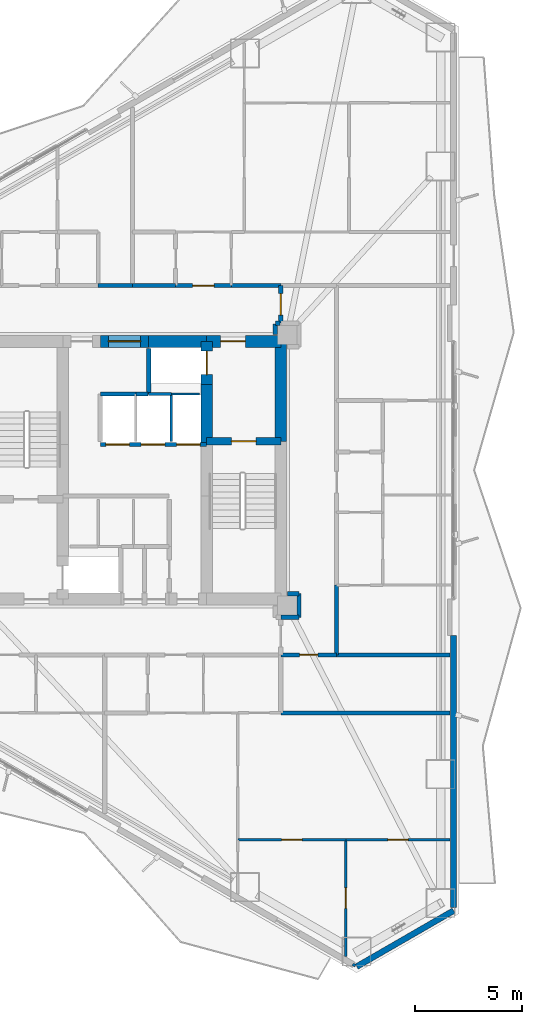
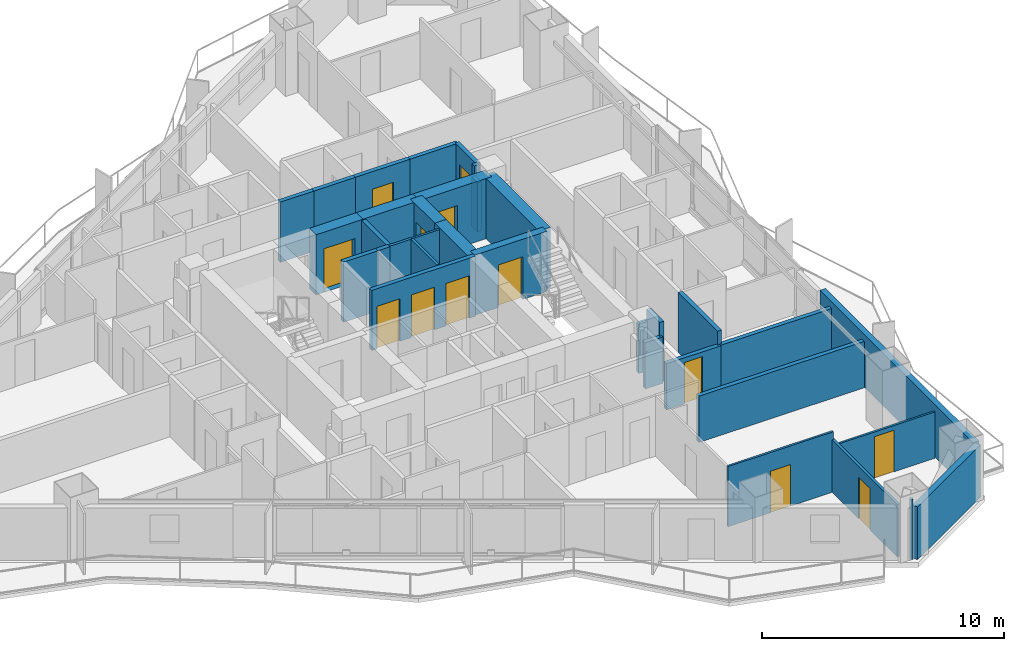
# One storey, part 14 of 18: 34 walls, 13 doors, 13 openings.
"""IFC4 building model written with IfcOpenShell, lengths in metres."""

from ifc_helpers import new_model, si_unit, direction, frame, frame_2d, origin, place, context, subcontext, project, spatial, rectangle, extrude, material, layer, layer_set, type_object, element, fill, save


model = new_model("IFC4")

# Units and contexts
model_context = context("Model", 3, precision=1e-05, world=origin(), true_north=direction((0.0, 1.0)))
body_context = subcontext(model_context, "Body", "Model", "MODEL_VIEW")
ifc_project = project(units=[si_unit("LENGTHUNIT", "METRE"), si_unit("AREAUNIT", "SQUARE_METRE"), si_unit("VOLUMEUNIT", "CUBIC_METRE"), si_unit("PLANEANGLEUNIT", "RADIAN"), si_unit("MASSUNIT", "GRAM", prefix="KILO")], contexts=[model_context])

# Site, building, storey
site_placement = place(None, origin())
site = spatial("IfcSite", under=ifc_project, at=site_placement, CompositionType="ELEMENT")
building_placement = place(site_placement, origin())
building = spatial("IfcBuilding", under=site, at=building_placement, Name="Mersakhor Tower and Convention Hall", CompositionType="ELEMENT")
storey_placement = place(building_placement, frame((0.0, 0.0, 39.0)))
storey = spatial("IfcBuildingStorey", under=building, at=storey_placement, Name="L10", CompositionType="ELEMENT", Elevation=39.0)

# Walls
ifc_material_1 = material(Name="Precast concrete C45/55", Category="concrete")
ifc_layer_1 = layer(ifc_material_1, 0.27490234375)
ifc_layer_set_1 = layer_set([ifc_layer_1], Name="Precast concrete C45/55")
wall_type_1 = type_object("IfcWallType", Name="WL-EXT-275", PredefinedType="SOLIDWALL", material=ifc_layer_set_1)
wall_1_placement = place(storey_placement, frame((43.85009765625, 6.240234375, 0.0), z_axis=(0.0, 0.0, 1.0), x_axis=(-0.866043601342, -0.499968479581, 0.0)))
element("IfcWall", 1, at=wall_1_placement, inside=storey, type_object=wall_type_1, Name="L10 Chamfer Braced Spandrel Wall C2", PredefinedType="SOLIDWALL", context=body_context, shape_type="SweptSolid", body=[
    extrude(rectangle(XDim=5.211181640625, YDim=0.27490234375, at=frame_2d((2.60546875, 0.0))), origin(), (0.0, 0.0, 1.0), 2.659912109375),
])
wall_2_placement = place(storey_placement, frame((43.85009765625, 19.0634765625, 0.0), z_axis=(0.0, 0.0, 1.0), x_axis=(0.0, -1.0, 0.0)))
element("IfcWall", 2, at=wall_2_placement, inside=storey, type_object=wall_type_1, Name="L10 Exterior Facade Wall F2-B3", PredefinedType="SOLIDWALL", context=body_context, shape_type="SweptSolid", body=[
    extrude(rectangle(XDim=12.673095703125, YDim=0.27490234375, at=frame_2d((6.33642578125, 0.0))), origin(), (0.0, 0.0, 1.0), 2.659912109375),
])
ifc_material_2 = material(Name="Lightweight gypsum partition", Category="other")
ifc_layer_2 = layer(ifc_material_2, 0.10009765625)
ifc_layer_set_2 = layer_set([ifc_layer_2], Name="Lightweight gypsum partition")
wall_type_2 = type_object("IfcWallType", Name="WL-PRT-100", PredefinedType="PARTITIONING", material=ifc_layer_set_2)
wall_3_placement = place(storey_placement, frame((32.02490234375, 30.300048828125, 0.0), z_axis=(0.0, 0.0, 1.0), x_axis=(-1.0, 0.0, 0.0)))
element("IfcWall", 3, at=wall_3_placement, inside=storey, type_object=wall_type_2, Name="L10 Interior Partition Wall P-004", PredefinedType="PARTITIONING", context=body_context, shape_type="SweptSolid", body=[
    extrude(rectangle(XDim=1.324951171875, YDim=0.10009765625, at=frame_2d((0.66259765625, 0.0))), origin(), (0.0, 0.0, 1.0), 3.0400390625),
])

# Wall, opening, door
wall_4_placement = place(storey_placement, frame((33.800048828125, 9.5400390625, 0.0), z_axis=(0.0, 0.0, 1.0), x_axis=(1.0, 0.0, 0.0)))
wall_4 = element("IfcWall", 4, at=wall_4_placement, inside=storey, type_object=wall_type_2, Name="L10 Interior Partition Wall P-136", PredefinedType="PARTITIONING", context=body_context, shape_type="SweptSolid", body=[
    extrude(rectangle(XDim=5.030029296875, YDim=0.10009765625, at=frame_2d((2.51513671875, 0.0))), origin(), (0.0, 0.0, 1.0), 3.0400390625),
])
opening_1_placement = place(wall_4_placement, frame((2.0400390625, 0.0, 0.0)))
opening_1 = element("IfcOpeningElement", 5, at=opening_1_placement, cuts=wall_4, Name="Opening RD-01", PredefinedType="OPENING", context=body_context, shape_type="SweptSolid", body=[
    extrude(rectangle(XDim=0.949951171875, YDim=2.10009765625, at=frame_2d((0.47509765625, 1.050048828125))), frame((0.0, 0.06005859375, 0.0), z_axis=(0.0, -1.0, 0.0), x_axis=(1.0, 0.0, 0.0)), (0.0, 0.0, 1.0), 0.1201171875),
])
ifc_material_3 = material(Name="Solid-core hardwood leaf in painted steel frame", Category="steel")
door_type_1 = type_object("IfcDoorType", Name="DR-INT-RM-095x210", OperationType="NOTDEFINED", PredefinedType="DOOR", material=ifc_material_3)
door_1_placement = place(opening_1_placement, origin())
door_1 = element("IfcDoor", 6, at=door_1_placement, inside=storey, type_object=door_type_1, Name="L10 L10 Flat S4 Bedroom 1 to L10 Flat S4 Dining Room Door", OperationType="SINGLE_SWING_RIGHT", OverallHeight=2.10009765625, OverallWidth=0.949951171875, PredefinedType="DOOR", context=body_context, shape_type="SweptSolid", body=[
    extrude(rectangle(XDim=0.949951171875, YDim=2.10009765625, at=frame_2d((0.47509765625, 1.050048828125))), frame((0.0, 0.02490234375, 0.0), z_axis=(0.0, -1.0, 0.0), x_axis=(1.0, 0.0, 0.0)), (0.0, 0.0, 1.0), 0.050048828125),
])
fill(opening_1, door_1)

wall_5_placement = place(storey_placement, frame((38.830078125, 9.5400390625, 0.0), z_axis=(0.0, 0.0, 1.0), x_axis=(1.0, 0.0, 0.0)))
wall_5 = element("IfcWall", 7, at=wall_5_placement, inside=storey, type_object=wall_type_2, Name="L10 Interior Partition Wall P-138", PredefinedType="PARTITIONING", context=body_context, shape_type="SweptSolid", body=[
    extrude(rectangle(XDim=4.8583984375, YDim=0.10009765625, at=frame_2d((2.42919921875, 0.0))), origin(), (0.0, 0.0, 1.0), 2.33740234375),
])
opening_2_placement = place(wall_5_placement, frame((1.9541015625, 0.0, 0.0)))
opening_2 = element("IfcOpeningElement", 8, at=opening_2_placement, cuts=wall_5, Name="Opening RD-01", PredefinedType="OPENING", context=body_context, shape_type="SweptSolid", body=[
    extrude(rectangle(XDim=0.949951171875, YDim=2.10009765625, at=frame_2d((0.47509765625, 1.050048828125))), frame((0.0, 0.06005859375, 0.0), z_axis=(0.0, -1.0, 0.0), x_axis=(1.0, 0.0, 0.0)), (0.0, 0.0, 1.0), 0.1201171875),
])
door_2_placement = place(opening_2_placement, origin())
door_2 = element("IfcDoor", 9, at=door_2_placement, inside=storey, type_object=door_type_1, Name="L10 L10 Flat S4 Study Room to L10 Flat S4 Dining Room Door", OperationType="SINGLE_SWING_LEFT", OverallHeight=2.10009765625, OverallWidth=0.949951171875, PredefinedType="DOOR", context=body_context, shape_type="SweptSolid", body=[
    extrude(rectangle(XDim=0.949951171875, YDim=2.10009765625, at=frame_2d((0.47509765625, 1.050048828125))), frame((0.0, 0.02490234375, 0.0), z_axis=(0.0, -1.0, 0.0), x_axis=(1.0, 0.0, 0.0)), (0.0, 0.0, 1.0), 0.050048828125),
])
fill(opening_2, door_2)

# Walls
ifc_material_4 = material(Name="Gypsum board acoustic partition", Category="other")
ifc_layer_3 = layer(ifc_material_4, 0.125)
ifc_layer_set_3 = layer_set([ifc_layer_3], Name="Gypsum board acoustic partition")
wall_type_3 = type_object("IfcWallType", Name="WL-PRT-125", PredefinedType="PARTITIONING", material=ifc_layer_set_3)
wall_6_placement = place(storey_placement, frame((30.699951171875, 30.300048828125, 0.0), z_axis=(0.0, 0.0, 1.0), x_axis=(-1.0, 0.0, 0.0)))
element("IfcWall", 10, at=wall_6_placement, inside=storey, type_object=wall_type_3, Name="L10 Interior Partition Wall P-005", PredefinedType="PARTITIONING", context=body_context, shape_type="SweptSolid", body=[
    extrude(rectangle(XDim=1.050048828125, YDim=0.125, at=frame_2d((0.52490234375, 0.0))), origin(), (0.0, 0.0, 1.0), 3.0400390625),
])
wall_7_placement = place(storey_placement, frame((30.699951171875, 30.300048828125, 0.0), z_axis=(0.0, 0.0, 1.0), x_axis=(0.0, -1.0, 0.0)))
element("IfcWall", 11, at=wall_7_placement, inside=storey, type_object=wall_type_3, Name="L10 Interior Partition Wall P-017", PredefinedType="PARTITIONING", context=body_context, shape_type="SweptSolid", body=[
    extrude(rectangle(XDim=2.199951171875, YDim=0.125, at=frame_2d((1.10009765625, 0.0))), origin(), (0.0, 0.0, 1.0), 3.0400390625),
])

# Wall, opening, door
wall_8_placement = place(storey_placement, frame((38.830078125, 9.5400390625, 0.0), z_axis=(0.0, 0.0, 1.0), x_axis=(0.0, -1.0, 0.0)))
wall_8 = element("IfcWall", 12, at=wall_8_placement, inside=storey, type_object=wall_type_3, Name="L10 Interior Partition Wall P-137", PredefinedType="PARTITIONING", context=body_context, shape_type="SweptSolid", body=[
    extrude(rectangle(XDim=5.42626953125, YDim=0.125, at=frame_2d((2.713134765625, 0.0))), origin(), (0.0, 0.0, 1.0), 2.650390625),
])
opening_3_placement = place(wall_8_placement, frame((2.238037109375, 0.0, 0.0)))
opening_3 = element("IfcOpeningElement", 13, at=opening_3_placement, cuts=wall_8, Name="Opening RD-01", PredefinedType="OPENING", context=body_context, shape_type="SweptSolid", body=[
    extrude(rectangle(XDim=0.949951171875, YDim=2.10009765625, at=frame_2d((0.47509765625, 1.050048828125))), frame((0.0, 0.072509765625, 0.0), z_axis=(0.0, -1.0, 0.0), x_axis=(1.0, 0.0, 0.0)), (0.0, 0.0, 1.0), 0.14501953125),
])
door_3_placement = place(opening_3_placement, origin())
door_3 = element("IfcDoor", 14, at=door_3_placement, inside=storey, type_object=door_type_1, Name="L10 L10 Flat S4 Bedroom 1 to L10 Flat S4 Study Room Door", OperationType="SINGLE_SWING_LEFT", OverallHeight=2.10009765625, OverallWidth=0.949951171875, PredefinedType="DOOR", context=body_context, shape_type="SweptSolid", body=[
    extrude(rectangle(XDim=0.949951171875, YDim=2.10009765625, at=frame_2d((0.47509765625, 1.050048828125))), frame((0.0, 0.02490234375, 0.0), z_axis=(0.0, -1.0, 0.0), x_axis=(1.0, 0.0, 0.0)), (0.0, 0.0, 1.0), 0.050048828125),
])
fill(opening_3, door_3)

# Wall
wall_9_placement = place(storey_placement, frame((39.2724609375, 3.672119140625, 0.0), z_axis=(0.0, 0.0, 1.0), x_axis=(-0.866442544969, 0.49927679324, 0.0)))
element("IfcWall", 15, at=wall_9_placement, inside=storey, type_object=wall_type_3, Name="L10 Interior Partition Wall P-139", PredefinedType="PARTITIONING", context=body_context, shape_type="SweptSolid", body=[
    extrude(rectangle(XDim=0.142333984375, YDim=0.125, at=frame_2d((0.0712890625, 0.0))), origin(), (0.0, 0.0, 1.0), 3.0400390625),
])

# Wall, openings, doors
ifc_material_5 = material(Name="Acoustic concrete blockwork and gypsum board", Category="masonry")
ifc_layer_4 = layer(ifc_material_5, 0.199951171875)
ifc_layer_set_4 = layer_set([ifc_layer_4], Name="Acoustic concrete blockwork and gypsum board")
wall_type_4 = type_object("IfcWallType", Name="WL-PRT-200", PredefinedType="PARTITIONING", material=ifc_layer_set_4)
wall_10_placement = place(storey_placement, frame((27.39990234375, 27.949951171875, 0.0), z_axis=(0.0, 0.0, 1.0), x_axis=(1.0, 0.0, 0.0)))
wall_10 = element("IfcWall", 16, at=wall_10_placement, inside=storey, type_object=wall_type_4, Name="L10 Low-Rise Lift Bank Front Wall", PredefinedType="PARTITIONING", context=body_context, shape_type="SweptSolid", body=[
    extrude(rectangle(XDim=4.9501953125, YDim=0.199951171875, at=frame_2d((2.47509765625, 0.0))), origin(), (0.0, 0.0, 1.0), 3.0400390625),
])
opening_4_placement = place(wall_10_placement, frame((0.25, 0.0, 0.0)))
opening_4 = element("IfcOpeningElement", 17, at=opening_4_placement, cuts=wall_10, Name="Opening LD-P1", PredefinedType="OPENING", context=body_context, shape_type="SweptSolid", body=[
    extrude(rectangle(XDim=1.10009765625, YDim=2.14990234375, at=frame_2d((0.550048828125, 1.074951171875))), frame((0.0, 0.10986328125, 0.0), z_axis=(0.0, -1.0, 0.0), x_axis=(1.0, 0.0, 0.0)), (0.0, 0.0, 1.0), 0.219970703125),
])
opening_5_placement = place(wall_10_placement, frame((1.89990234375, 0.0, 0.0)))
opening_5 = element("IfcOpeningElement", 18, at=opening_5_placement, cuts=wall_10, Name="Opening LD-P2", PredefinedType="OPENING", context=body_context, shape_type="SweptSolid", body=[
    extrude(rectangle(XDim=1.10009765625, YDim=2.14990234375, at=frame_2d((0.550048828125, 1.074951171875))), frame((0.0, 0.10986328125, 0.0), z_axis=(0.0, -1.0, 0.0), x_axis=(1.0, 0.0, 0.0)), (0.0, 0.0, 1.0), 0.219970703125),
])
opening_6_placement = place(wall_10_placement, frame((3.550048828125, 0.0, 0.0)))
opening_6 = element("IfcOpeningElement", 19, at=opening_6_placement, cuts=wall_10, Name="Opening LD-P3", PredefinedType="OPENING", context=body_context, shape_type="SweptSolid", body=[
    extrude(rectangle(XDim=1.10009765625, YDim=2.14990234375, at=frame_2d((0.550048828125, 1.074951171875))), frame((0.0, 0.10986328125, 0.0), z_axis=(0.0, -1.0, 0.0), x_axis=(1.0, 0.0, 0.0)), (0.0, 0.0, 1.0), 0.219970703125),
])
ifc_material_6 = material(Name="Fire-rated brushed stainless steel sliding landing door", Category="steel")
door_type_2 = type_object("IfcDoorType", Name="DR-LIFT-SLD-110x215", OperationType="NOTDEFINED", PredefinedType="DOOR", material=ifc_material_6)
door_4_placement = place(opening_4_placement, origin())
door_4 = element("IfcDoor", 20, at=door_4_placement, inside=storey, type_object=door_type_2, Name="L10 Lift Landing Door LD-P1", OperationType="SLIDING_TO_LEFT", OverallHeight=2.14990234375, OverallWidth=1.10009765625, PredefinedType="DOOR", context=body_context, shape_type="SweptSolid", body=[
    extrude(rectangle(XDim=1.10009765625, YDim=2.14990234375, at=frame_2d((0.550048828125, 1.074951171875))), frame((0.0, 0.02490234375, 0.0), z_axis=(0.0, -1.0, 0.0), x_axis=(1.0, 0.0, 0.0)), (0.0, 0.0, 1.0), 0.050048828125),
])
fill(opening_4, door_4)
door_5_placement = place(opening_5_placement, origin())
door_5 = element("IfcDoor", 21, at=door_5_placement, inside=storey, type_object=door_type_2, Name="L10 Lift Landing Door LD-P2", OperationType="SLIDING_TO_LEFT", OverallHeight=2.14990234375, OverallWidth=1.10009765625, PredefinedType="DOOR", context=body_context, shape_type="SweptSolid", body=[
    extrude(rectangle(XDim=1.10009765625, YDim=2.14990234375, at=frame_2d((0.550048828125, 1.074951171875))), frame((0.0, 0.02490234375, 0.0), z_axis=(0.0, -1.0, 0.0), x_axis=(1.0, 0.0, 0.0)), (0.0, 0.0, 1.0), 0.050048828125),
])
fill(opening_5, door_5)
door_6_placement = place(opening_6_placement, origin())
door_6 = element("IfcDoor", 22, at=door_6_placement, inside=storey, type_object=door_type_2, Name="L10 Lift Landing Door LD-P3", OperationType="SLIDING_TO_LEFT", OverallHeight=2.14990234375, OverallWidth=1.10009765625, PredefinedType="DOOR", context=body_context, shape_type="SweptSolid", body=[
    extrude(rectangle(XDim=1.10009765625, YDim=2.14990234375, at=frame_2d((0.550048828125, 1.074951171875))), frame((0.0, 0.02490234375, 0.0), z_axis=(0.0, -1.0, 0.0), x_axis=(1.0, 0.0, 0.0)), (0.0, 0.0, 1.0), 0.050048828125),
])
fill(opening_6, door_6)

# Walls
wall_11_placement = place(storey_placement, frame((29.64990234375, 30.300048828125, 0.0), z_axis=(0.0, 0.0, 1.0), x_axis=(0.0, 1.0, 0.0)))
element("IfcWall", 23, at=wall_11_placement, inside=storey, type_object=wall_type_4, Name="L10 Interior Partition Wall P-006", PredefinedType="PARTITIONING", context=body_context, shape_type="SweptSolid", body=[
    extrude(rectangle(XDim=2.125, YDim=0.199951171875, at=frame_2d((1.0625, 0.0))), origin(), (0.0, 0.0, 1.0), 3.0400390625),
])
wall_12_placement = place(storey_placement, frame((27.39990234375, 30.300048828125, 0.0), z_axis=(0.0, 0.0, 1.0), x_axis=(1.0, 0.0, 0.0)))
element("IfcWall", 24, at=wall_12_placement, inside=storey, type_object=wall_type_4, Name="L10 Interior Partition Wall P-013", PredefinedType="PARTITIONING", context=body_context, shape_type="SweptSolid", body=[
    extrude(rectangle(XDim=1.650146484375, YDim=0.199951171875, at=frame_2d((0.8251953125, 0.0))), origin(), (0.0, 0.0, 1.0), 3.0400390625),
])
wall_13_placement = place(storey_placement, frame((29.050048828125, 30.300048828125, 0.0), z_axis=(0.0, 0.0, 1.0), x_axis=(1.0, 0.0, 0.0)))
element("IfcWall", 25, at=wall_13_placement, inside=storey, type_object=wall_type_4, Name="L10 Interior Partition Wall P-016", PredefinedType="PARTITIONING", context=body_context, shape_type="SweptSolid", body=[
    extrude(rectangle(XDim=0.570068359375, YDim=0.199951171875, at=frame_2d((0.28515625, 0.0))), origin(), (0.0, 0.0, 1.0), 3.0400390625),
])
wall_14_placement = place(storey_placement, frame((27.300048828125, 35.35009765625, 0.0), z_axis=(0.0, 0.0, 1.0), x_axis=(1.0, 0.0, 0.0)))
element("IfcWall", 26, at=wall_14_placement, inside=storey, type_object=wall_type_4, Name="L10 Interior Partition Wall P-041", PredefinedType="PARTITIONING", context=body_context, shape_type="SweptSolid", body=[
    extrude(rectangle(XDim=1.599853515625, YDim=0.199951171875, at=frame_2d((0.7998046875, 0.0))), origin(), (0.0, 0.0, 1.0), 3.0400390625),
])
wall_15_placement = place(storey_placement, frame((28.89990234375, 35.35009765625, 0.0), z_axis=(0.0, 0.0, 1.0), x_axis=(1.0, 0.0, 0.0)))
element("IfcWall", 27, at=wall_15_placement, inside=storey, type_object=wall_type_4, Name="L10 Interior Partition Wall P-042", PredefinedType="PARTITIONING", context=body_context, shape_type="SweptSolid", body=[
    extrude(rectangle(XDim=2.0, YDim=0.199951171875, at=frame_2d((1.0, 0.0))), origin(), (0.0, 0.0, 1.0), 3.0400390625),
])

# Wall, opening, door
wall_16_placement = place(storey_placement, frame((30.89990234375, 35.35009765625, 0.0), z_axis=(0.0, 0.0, 1.0), x_axis=(1.0, 0.0, 0.0)))
wall_16 = element("IfcWall", 28, at=wall_16_placement, inside=storey, type_object=wall_type_4, Name="L10 Interior Partition Wall P-043", PredefinedType="PARTITIONING", context=body_context, shape_type="SweptSolid", body=[
    extrude(rectangle(XDim=2.60009765625, YDim=0.199951171875, at=frame_2d((1.300048828125, 0.0))), origin(), (0.0, 0.0, 1.0), 3.0400390625),
])
opening_7_placement = place(wall_16_placement, frame((0.800048828125, 0.0, 0.0)))
opening_7 = element("IfcOpeningElement", 29, at=opening_7_placement, cuts=wall_16, Name="Opening FD-01", PredefinedType="OPENING", context=body_context, shape_type="SweptSolid", body=[
    extrude(rectangle(XDim=1.0, YDim=2.14990234375, at=frame_2d((0.5, 1.074951171875))), frame((0.0, 0.10986328125, 0.0), z_axis=(0.0, -1.0, 0.0), x_axis=(1.0, 0.0, 0.0)), (0.0, 0.0, 1.0), 0.219970703125),
])
ifc_material_7 = material(Name="Fire-rated hardwood leaf and painted steel frame", Category="steel")
door_type_3 = type_object("IfcDoorType", Name="DR-INT-FLT-100x215", OperationType="NOTDEFINED", PredefinedType="DOOR", material=ifc_material_7)
door_7_placement = place(opening_7_placement, origin())
door_7 = element("IfcDoor", 30, at=door_7_placement, inside=storey, type_object=door_type_3, Name="L10 Apartment Entrance Door (Residential Ring Corridor to L10 Flat N2 Apartment Hall)", OperationType="SINGLE_SWING_LEFT", OverallHeight=2.14990234375, OverallWidth=1.0, PredefinedType="DOOR", context=body_context, shape_type="SweptSolid", body=[
    extrude(rectangle(XDim=1.0, YDim=2.14990234375, at=frame_2d((0.5, 1.074951171875))), frame((0.0, 0.02490234375, 0.0), z_axis=(0.0, -1.0, 0.0), x_axis=(1.0, 0.0, 0.0)), (0.0, 0.0, 1.0), 0.050048828125),
])
fill(opening_7, door_7)

# Wall
wall_17_placement = place(storey_placement, frame((33.5, 35.35009765625, 0.0), z_axis=(0.0, 0.0, 1.0), x_axis=(1.0, 0.0, 0.0)))
element("IfcWall", 31, at=wall_17_placement, inside=storey, type_object=wall_type_4, Name="L10 Interior Partition Wall P-044", PredefinedType="PARTITIONING", context=body_context, shape_type="SweptSolid", body=[
    extrude(rectangle(XDim=2.300048828125, YDim=0.199951171875, at=frame_2d((1.14990234375, 0.0))), origin(), (0.0, 0.0, 1.0), 3.0400390625),
])

# Wall, opening, door
wall_18_placement = place(storey_placement, frame((35.800048828125, 35.35009765625, 0.0), z_axis=(0.0, 0.0, 1.0), x_axis=(0.0, -1.0, 0.0)))
wall_18 = element("IfcWall", 32, at=wall_18_placement, inside=storey, type_object=wall_type_4, Name="L10 Interior Partition Wall P-045", PredefinedType="PARTITIONING", context=body_context, shape_type="SweptSolid", body=[
    extrude(rectangle(XDim=1.75, YDim=0.199951171875, at=frame_2d((0.875, 0.0))), origin(), (0.0, 0.0, 1.0), 3.0400390625),
])
opening_8_placement = place(wall_18_placement, frame((0.375, 0.0, 0.0)))
opening_8 = element("IfcOpeningElement", 33, at=opening_8_placement, cuts=wall_18, Name="Opening FD-01", PredefinedType="OPENING", context=body_context, shape_type="SweptSolid", body=[
    extrude(rectangle(XDim=1.0, YDim=2.14990234375, at=frame_2d((0.5, 1.074951171875))), frame((0.0, 0.10986328125, 0.0), z_axis=(0.0, -1.0, 0.0), x_axis=(1.0, 0.0, 0.0)), (0.0, 0.0, 1.0), 0.219970703125),
])
door_8_placement = place(opening_8_placement, origin())
door_8 = element("IfcDoor", 34, at=door_8_placement, inside=storey, type_object=door_type_3, Name="L10 Ring Corridor Fire Door", OperationType="SINGLE_SWING_LEFT", OverallHeight=2.14990234375, OverallWidth=1.0, PredefinedType="DOOR", context=body_context, shape_type="SweptSolid", body=[
    extrude(rectangle(XDim=1.0, YDim=2.14990234375, at=frame_2d((0.5, 1.074951171875))), frame((0.0, 0.02490234375, 0.0), z_axis=(0.0, -1.0, 0.0), x_axis=(1.0, 0.0, 0.0)), (0.0, 0.0, 1.0), 0.050048828125),
])
fill(opening_8, door_8)

# Walls
wall_19_placement = place(storey_placement, frame((35.77001953125, 33.60009765625, 0.0), z_axis=(0.0, 0.0, 1.0), x_axis=(-1.0, 0.0, 0.0)))
element("IfcWall", 35, at=wall_19_placement, inside=storey, type_object=wall_type_4, Name="L10 Interior Partition Wall P-046", PredefinedType="PARTITIONING", context=body_context, shape_type="SweptSolid", body=[
    extrude(rectangle(XDim=0.219970703125, YDim=0.199951171875, at=frame_2d((0.10986328125, 0.0))), origin(), (0.0, 0.0, 1.0), 3.0400390625),
])
wall_20_placement = place(storey_placement, frame((35.550048828125, 33.570068359375, 0.0), z_axis=(0.0, 0.0, 1.0), x_axis=(0.0, -1.0, 0.0)))
element("IfcWall", 36, at=wall_20_placement, inside=storey, type_object=wall_type_4, Name="L10 Interior Partition Wall P-047", PredefinedType="PARTITIONING", context=body_context, shape_type="SweptSolid", body=[
    extrude(rectangle(XDim=0.4951171875, YDim=0.199951171875, at=frame_2d((0.24755859375, 0.0))), origin(), (0.0, 0.0, 1.0), 2.48828125),
])
wall_21_placement = place(storey_placement, frame((36.64990234375, 21.0, 0.0), z_axis=(0.0, 0.0, 1.0), x_axis=(-1.0, 0.0, 0.0)))
element("IfcWall", 37, at=wall_21_placement, inside=storey, type_object=wall_type_4, Name="L10 Interior Partition Wall P-054", PredefinedType="PARTITIONING", context=body_context, shape_type="SweptSolid", body=[
    extrude(rectangle(XDim=0.52490234375, YDim=0.199951171875, at=frame_2d((0.262451171875, 0.0))), origin(), (0.0, 0.0, 1.0), 2.48828125),
])
wall_22_placement = place(storey_placement, frame((38.39990234375, 21.39990234375, 0.0), z_axis=(0.0, 0.0, 1.0), x_axis=(0.0, -1.0, 0.0)))
element("IfcWall", 38, at=wall_22_placement, inside=storey, type_object=wall_type_4, Name="L10 Interior Partition Wall P-063", PredefinedType="PARTITIONING", context=body_context, shape_type="SweptSolid", body=[
    extrude(rectangle(XDim=3.25, YDim=0.199951171875, at=frame_2d((1.625, 0.0))), origin(), (0.0, 0.0, 1.0), 3.0400390625),
])

# Wall, opening, door
wall_23_placement = place(storey_placement, frame((38.39990234375, 18.14990234375, 0.0), z_axis=(0.0, 0.0, 1.0), x_axis=(-1.0, 0.0, 0.0)))
wall_23 = element("IfcWall", 39, at=wall_23_placement, inside=storey, type_object=wall_type_4, Name="L10 Interior Partition Wall P-064", PredefinedType="PARTITIONING", context=body_context, shape_type="SweptSolid", body=[
    extrude(rectangle(XDim=2.599853515625, YDim=0.199951171875, at=frame_2d((1.2998046875, 0.0))), origin(), (0.0, 0.0, 1.0), 2.33740234375),
])
opening_9_placement = place(wall_23_placement, frame((0.875, 0.0, 0.0)))
opening_9 = element("IfcOpeningElement", 40, at=opening_9_placement, cuts=wall_23, Name="Opening SVD-01", PredefinedType="OPENING", context=body_context, shape_type="SweptSolid", body=[
    extrude(rectangle(XDim=0.85009765625, YDim=2.10009765625, at=frame_2d((0.425048828125, 1.050048828125))), frame((0.0, 0.10986328125, 0.0), z_axis=(0.0, -1.0, 0.0), x_axis=(1.0, 0.0, 0.0)), (0.0, 0.0, 1.0), 0.219970703125),
])
ifc_material_8 = material(Name="Fire-rated hardwood leaf and painted steel frame", Category="steel")
door_type_4 = type_object("IfcDoorType", Name="DR-INT-SVC-085x210", OperationType="NOTDEFINED", PredefinedType="DOOR", material=ifc_material_8)
door_9_placement = place(opening_9_placement, origin())
door_9 = element("IfcDoor", 41, at=door_9_placement, inside=storey, type_object=door_type_4, Name="L10 Residential Ring East Corridor to L10 South Wing Household Store Room Door", OperationType="SINGLE_SWING_LEFT", OverallHeight=2.10009765625, OverallWidth=0.85009765625, PredefinedType="DOOR", context=body_context, shape_type="SweptSolid", body=[
    extrude(rectangle(XDim=0.85009765625, YDim=2.10009765625, at=frame_2d((0.425048828125, 1.050048828125))), frame((0.0, 0.02490234375, 0.0), z_axis=(0.0, -1.0, 0.0), x_axis=(1.0, 0.0, 0.0)), (0.0, 0.0, 1.0), 0.050048828125),
])
fill(opening_9, door_9)

# Walls
wall_24_placement = place(storey_placement, frame((35.800048828125, 19.89990234375, 0.0), z_axis=(0.0, 0.0, 1.0), x_axis=(1.0, 0.0, 0.0)))
element("IfcWall", 42, at=wall_24_placement, inside=storey, type_object=wall_type_4, Name="L10 Interior Partition Wall P-065", PredefinedType="PARTITIONING", context=body_context, shape_type="SweptSolid", body=[
    extrude(rectangle(XDim=0.849853515625, YDim=0.199951171875, at=frame_2d((0.4248046875, 0.0))), origin(), (0.0, 0.0, 1.0), 2.33740234375),
])
wall_25_placement = place(storey_placement, frame((36.64990234375, 19.89990234375, 0.0), z_axis=(0.0, 0.0, 1.0), x_axis=(0.0, 1.0, 0.0)))
element("IfcWall", 43, at=wall_25_placement, inside=storey, type_object=wall_type_4, Name="L10 Interior Partition Wall P-066", PredefinedType="PARTITIONING", context=body_context, shape_type="SweptSolid", body=[
    extrude(rectangle(XDim=1.10009765625, YDim=0.199951171875, at=frame_2d((0.550048828125, 0.0))), origin(), (0.0, 0.0, 1.0), 3.0400390625),
])
wall_26_placement = place(storey_placement, frame((43.6884765625, 18.14990234375, 0.0), z_axis=(0.0, 0.0, 1.0), x_axis=(-1.0, 0.0, 0.0)))
element("IfcWall", 44, at=wall_26_placement, inside=storey, type_object=wall_type_4, Name="L10 Interior Partition Wall P-121", PredefinedType="PARTITIONING", context=body_context, shape_type="SweptSolid", body=[
    extrude(rectangle(XDim=5.28857421875, YDim=0.199951171875, at=frame_2d((2.644287109375, 0.0))), origin(), (0.0, 0.0, 1.0), 2.364990234375),
])
wall_27_placement = place(storey_placement, frame((43.6884765625, 15.449951171875, 0.0), z_axis=(0.0, 0.0, 1.0), x_axis=(-1.0, 0.0, 0.0)))
element("IfcWall", 45, at=wall_27_placement, inside=storey, type_object=wall_type_4, Name="L10 Interior Partition Wall P-123", PredefinedType="PARTITIONING", context=body_context, shape_type="SweptSolid", body=[
    extrude(rectangle(XDim=7.888427734375, YDim=0.199951171875, at=frame_2d((3.9443359375, 0.0))), origin(), (0.0, 0.0, 1.0), 2.33740234375),
])

# Wall, opening, door
ifc_material_9 = material(Name="Concrete C50/60", Category="concrete")
ifc_layer_5 = layer(ifc_material_9, 0.35009765625)
ifc_layer_set_5 = layer_set([ifc_layer_5], Name="Concrete C50/60")
wall_type_5 = type_object("IfcWallType", Name="WL-SHR-350", PredefinedType="SHEAR", material=ifc_layer_set_5)
wall_28_placement = place(storey_placement, frame((32.35009765625, 28.10009765625, 0.0), z_axis=(0.0, 0.0, 1.0), x_axis=(1.0, 0.0, 0.0)))
wall_28 = element("IfcWall", 46, at=wall_28_placement, inside=storey, type_object=wall_type_5, Name="L10 Core Wall CS-ST2-N", PredefinedType="SHEAR", context=body_context, shape_type="SweptSolid", body=[
    extrude(rectangle(XDim=3.449951171875, YDim=0.35009765625, at=frame_2d((1.72509765625, 0.0))), origin(), (0.0, 0.0, 1.0), 3.0400390625),
])
opening_10_placement = place(wall_28_placement, frame((1.14990234375, 0.0, 0.0)))
opening_10 = element("IfcOpeningElement", 47, at=opening_10_placement, cuts=wall_28, Name="Opening SD-01", PredefinedType="OPENING", context=body_context, shape_type="SweptSolid", body=[
    extrude(rectangle(XDim=1.14990234375, YDim=2.14990234375, at=frame_2d((0.574951171875, 1.074951171875))), frame((0.0, 0.18505859375, 0.0), z_axis=(0.0, -1.0, 0.0), x_axis=(1.0, 0.0, 0.0)), (0.0, 0.0, 1.0), 0.3701171875),
])
ifc_material_10 = material(Name="Fire-rated hardwood leaf and painted steel frame", Category="steel")
door_type_5 = type_object("IfcDoorType", Name="DR-INT-STAIR-115x215", OperationType="NOTDEFINED", PredefinedType="DOOR", material=ifc_material_10)
door_10_placement = place(opening_10_placement, origin())
door_10 = element("IfcDoor", 48, at=door_10_placement, inside=storey, type_object=door_type_5, Name="L10 Exit Stair ST-2 Enclosure Door", OperationType="SINGLE_SWING_RIGHT", OverallHeight=2.14990234375, OverallWidth=1.14990234375, PredefinedType="DOOR", context=body_context, shape_type="SweptSolid", body=[
    extrude(rectangle(XDim=1.14990234375, YDim=2.14990234375, at=frame_2d((0.574951171875, 1.074951171875))), frame((0.0, 0.02490234375, 0.0), z_axis=(0.0, -1.0, 0.0), x_axis=(1.0, 0.0, 0.0)), (0.0, 0.0, 1.0), 0.050048828125),
])
fill(opening_10, door_10)

ifc_material_11 = material(Name="Concrete C70/85", Category="concrete")
ifc_layer_6 = layer(ifc_material_11, 0.550048828125)
ifc_layer_set_6 = layer_set([ifc_layer_6], Name="Concrete C70/85")
wall_type_6 = type_object("IfcWallType", Name="WL-SHR-550", PredefinedType="SHEAR", material=ifc_layer_set_6)
wall_29_placement = place(storey_placement, frame((27.39990234375, 32.75, 0.0), z_axis=(0.0, 0.0, 1.0), x_axis=(1.0, 0.0, 0.0)))
wall_29 = element("IfcWall", 49, at=wall_29_placement, inside=storey, type_object=wall_type_6, Name="L10 Core Wall CW-N2B", PredefinedType="SHEAR", context=body_context, shape_type="SweptSolid", body=[
    extrude(rectangle(XDim=2.25, YDim=0.550048828125, at=frame_2d((1.125, 0.0))), origin(), (0.0, 0.0, 1.0), 3.0400390625),
])
opening_11_placement = place(wall_29_placement, frame((0.375, 0.0, 0.0)))
opening_11 = element("IfcOpeningElement", 50, at=opening_11_placement, cuts=wall_29, Name="Opening LD-LOB", PredefinedType="OPENING", context=body_context, shape_type="SweptSolid", body=[
    extrude(rectangle(XDim=1.5, YDim=2.199951171875, at=frame_2d((0.75, 1.10009765625))), frame((0.0, 0.284912109375, 0.0), z_axis=(0.0, -1.0, 0.0), x_axis=(1.0, 0.0, 0.0)), (0.0, 0.0, 1.0), 0.570068359375),
])
ifc_material_12 = material(Name="Fire-rated hardwood leaf and painted steel frame", Category="steel")
door_type_6 = type_object("IfcDoorType", Name="DR-INT-LOB-150x220", OperationType="NOTDEFINED", PredefinedType="DOOR", material=ifc_material_12)
door_11_placement = place(opening_11_placement, origin())
door_11 = element("IfcDoor", 51, at=door_11_placement, inside=storey, type_object=door_type_6, Name="L10 Central Passenger Lift Lobby to Residential Ring Corridor Door", OperationType="DOUBLE_DOOR_SINGLE_SWING", OverallHeight=2.199951171875, OverallWidth=1.5, PredefinedType="DOOR", context=body_context, shape_type="SweptSolid", body=[
    extrude(rectangle(XDim=1.5, YDim=2.199951171875, at=frame_2d((0.75, 1.10009765625))), frame((0.0, 0.02490234375, 0.0), z_axis=(0.0, -1.0, 0.0), x_axis=(1.0, 0.0, 0.0)), (0.0, 0.0, 1.0), 0.050048828125),
])
fill(opening_11, door_11)

# Wall
wall_30_placement = place(storey_placement, frame((29.64990234375, 32.75, 0.0), z_axis=(0.0, 0.0, 1.0), x_axis=(1.0, 0.0, 0.0)))
element("IfcWall", 52, at=wall_30_placement, inside=storey, type_object=wall_type_6, Name="L10 Core Wall CW-N3", PredefinedType="SHEAR", context=body_context, shape_type="SweptSolid", body=[
    extrude(rectangle(XDim=2.7001953125, YDim=0.550048828125, at=frame_2d((1.35009765625, 0.0))), origin(), (0.0, 0.0, 1.0), 3.0400390625),
])

# Wall, opening, door
wall_31_placement = place(storey_placement, frame((32.35009765625, 32.75, 0.0), z_axis=(0.0, 0.0, 1.0), x_axis=(1.0, 0.0, 0.0)))
wall_31 = element("IfcWall", 53, at=wall_31_placement, inside=storey, type_object=wall_type_6, Name="L10 Core Wall CW-N4", PredefinedType="SHEAR", context=body_context, shape_type="SweptSolid", body=[
    extrude(rectangle(XDim=3.449951171875, YDim=0.550048828125, at=frame_2d((1.72509765625, 0.0))), origin(), (0.0, 0.0, 1.0), 3.0400390625),
])
opening_12_placement = place(wall_31_placement, frame((0.64990234375, 0.0, 0.0)))
opening_12 = element("IfcOpeningElement", 54, at=opening_12_placement, cuts=wall_31, Name="Opening SD-01", PredefinedType="OPENING", context=body_context, shape_type="SweptSolid", body=[
    extrude(rectangle(XDim=1.14990234375, YDim=2.14990234375, at=frame_2d((0.574951171875, 1.074951171875))), frame((0.0, 0.284912109375, 0.0), z_axis=(0.0, -1.0, 0.0), x_axis=(1.0, 0.0, 0.0)), (0.0, 0.0, 1.0), 0.570068359375),
])
door_12_placement = place(opening_12_placement, origin())
door_12 = element("IfcDoor", 55, at=door_12_placement, inside=storey, type_object=door_type_5, Name="L10 Firefighting Lobby East Fire Door", OperationType="SINGLE_SWING_RIGHT", OverallHeight=2.14990234375, OverallWidth=1.14990234375, PredefinedType="DOOR", context=body_context, shape_type="SweptSolid", body=[
    extrude(rectangle(XDim=1.14990234375, YDim=2.14990234375, at=frame_2d((0.574951171875, 1.074951171875))), frame((0.0, 0.02490234375, 0.0), z_axis=(0.0, -1.0, 0.0), x_axis=(1.0, 0.0, 0.0)), (0.0, 0.0, 1.0), 0.050048828125),
])
fill(opening_12, door_12)

# Walls
wall_32_placement = place(storey_placement, frame((35.800048828125, 32.75, 0.0), z_axis=(0.0, 0.0, 1.0), x_axis=(0.0, -1.0, 0.0)))
element("IfcWall", 56, at=wall_32_placement, inside=storey, type_object=wall_type_6, Name="L10 Core Wall CW-E1", PredefinedType="SHEAR", context=body_context, shape_type="SweptSolid", body=[
    extrude(rectangle(XDim=4.64990234375, YDim=0.550048828125, at=frame_2d((2.324951171875, 0.0))), origin(), (0.0, 0.0, 1.0), 3.0400390625),
])
wall_33_placement = place(storey_placement, frame((32.35009765625, 27.949951171875, 0.0), z_axis=(0.0, 0.0, 1.0), x_axis=(0.0, 1.0, 0.0)))
element("IfcWall", 57, at=wall_33_placement, inside=storey, type_object=wall_type_6, Name="L10 Core Wall CS-E-MID", PredefinedType="SHEAR", context=body_context, shape_type="SweptSolid", body=[
    extrude(rectangle(XDim=2.800048828125, YDim=0.550048828125, at=frame_2d((1.39990234375, 0.0))), origin(), (0.0, 0.0, 1.0), 3.0400390625),
])

# Wall, opening, door
wall_34_placement = place(storey_placement, frame((32.35009765625, 30.75, 0.0), z_axis=(0.0, 0.0, 1.0), x_axis=(0.0, 1.0, 0.0)))
wall_34 = element("IfcWall", 58, at=wall_34_placement, inside=storey, type_object=wall_type_6, Name="L10 Core Wall CS-E-FFL", PredefinedType="SHEAR", context=body_context, shape_type="SweptSolid", body=[
    extrude(rectangle(XDim=2.0, YDim=0.550048828125, at=frame_2d((1.0, 0.0))), origin(), (0.0, 0.0, 1.0), 3.0400390625),
])
opening_13_placement = place(wall_34_placement, frame((0.449951171875, 0.0, 0.0)))
opening_13 = element("IfcOpeningElement", 59, at=opening_13_placement, cuts=wall_34, Name="Opening LD-FFL2", PredefinedType="OPENING", context=body_context, shape_type="SweptSolid", body=[
    extrude(rectangle(XDim=1.10009765625, YDim=2.14990234375, at=frame_2d((0.550048828125, 1.074951171875))), frame((0.0, 0.284912109375, 0.0), z_axis=(0.0, -1.0, 0.0), x_axis=(1.0, 0.0, 0.0)), (0.0, 0.0, 1.0), 0.570068359375),
])
door_13_placement = place(opening_13_placement, origin())
door_13 = element("IfcDoor", 60, at=door_13_placement, inside=storey, type_object=door_type_2, Name="L10 Firefighting Lift Landing Door LD-FFL2", OperationType="SLIDING_TO_LEFT", OverallHeight=2.14990234375, OverallWidth=1.10009765625, PredefinedType="DOOR", context=body_context, shape_type="SweptSolid", body=[
    extrude(rectangle(XDim=1.10009765625, YDim=2.14990234375, at=frame_2d((0.550048828125, 1.074951171875))), frame((0.0, 0.02490234375, 0.0), z_axis=(0.0, -1.0, 0.0), x_axis=(1.0, 0.0, 0.0)), (0.0, 0.0, 1.0), 0.050048828125),
])
fill(opening_13, door_13)

save(model, "model.ifc")
